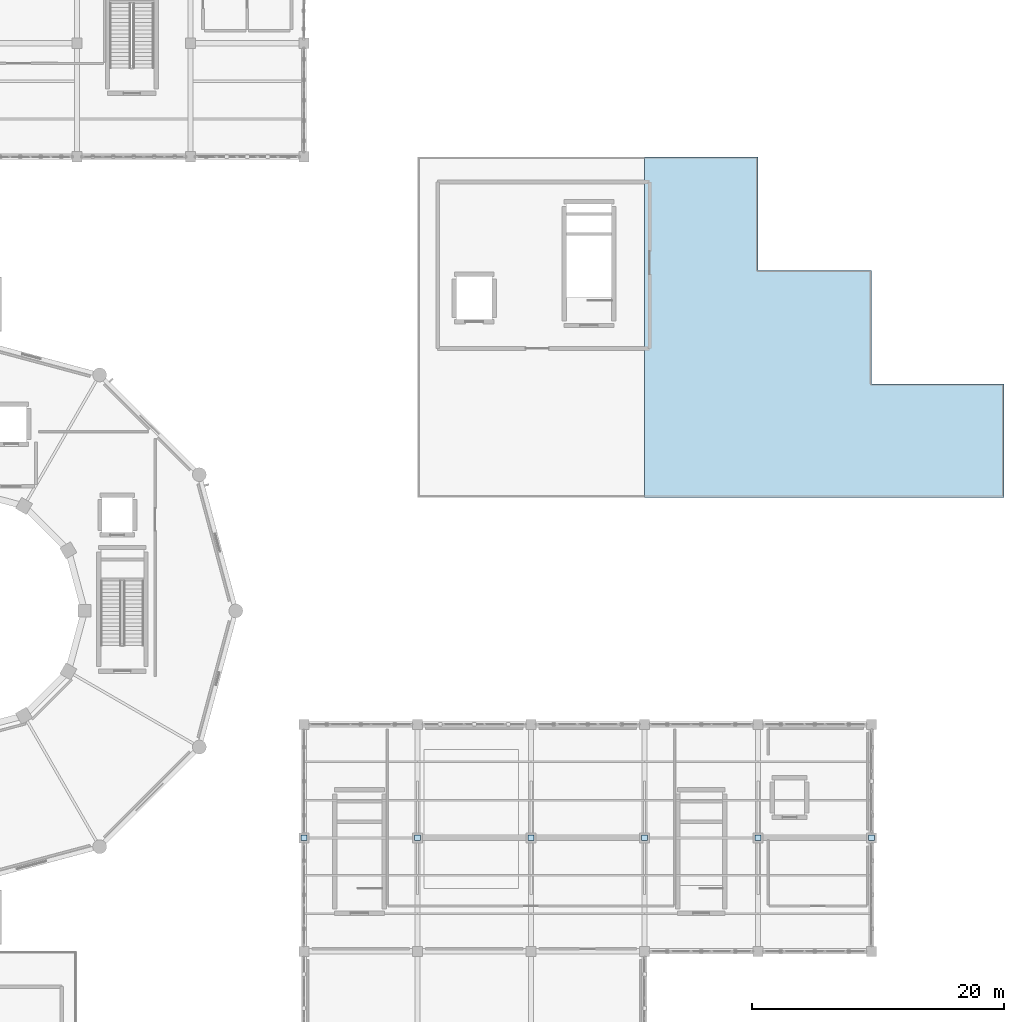
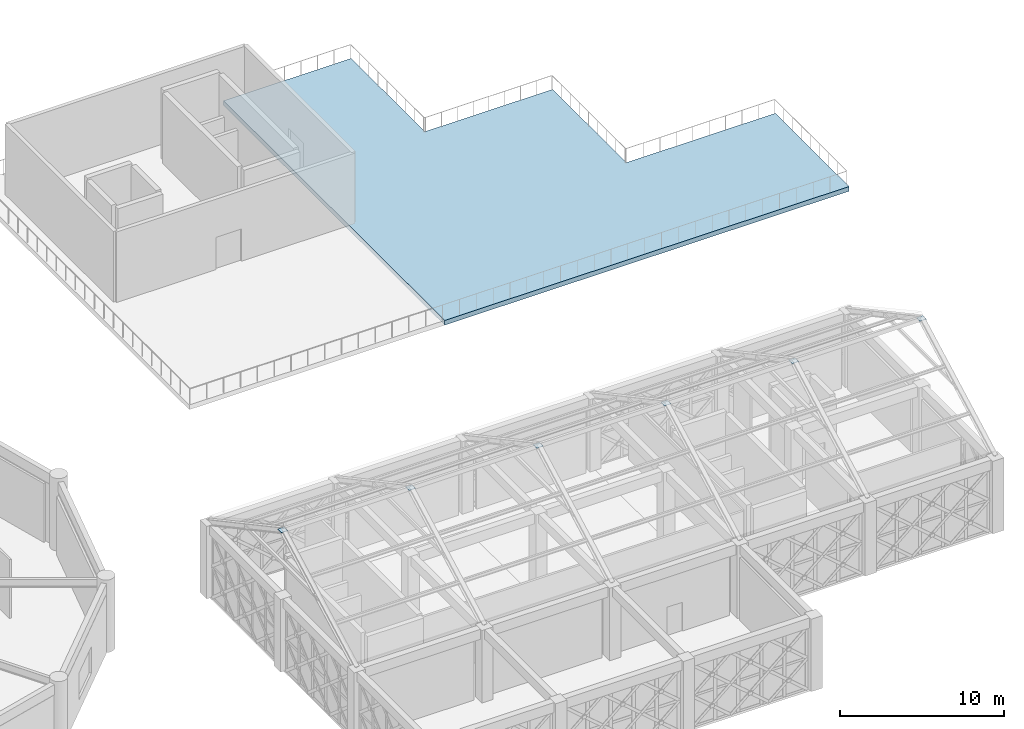
# One storey, part 69 of 86: 6 plates, 1 slab.
"""IFC4 building model written with IfcOpenShell, lengths in metres."""

from ifc_helpers import new_model, si_unit, direction, frame, origin, origin_2d, place, context, subcontext, project, spatial, polyline, rectangle, outline, extrude, material, layer, layer_set, type_object, element, save


model = new_model("IFC4")

# Units and contexts
model_context = context("Model", 3, precision=1e-05, world=origin(), true_north=direction((0.0, 1.0)))
body_context = subcontext(model_context, "Body", "Model", "MODEL_VIEW")
ifc_project = project(units=[si_unit("LENGTHUNIT", "METRE"), si_unit("AREAUNIT", "SQUARE_METRE"), si_unit("VOLUMEUNIT", "CUBIC_METRE"), si_unit("PLANEANGLEUNIT", "RADIAN"), si_unit("MASSUNIT", "GRAM", prefix="KILO")], contexts=[model_context])

# Site, building, storey
site_placement = place(None, origin())
site = spatial("IfcSite", under=ifc_project, at=site_placement, CompositionType="ELEMENT")
building_placement = place(site_placement, origin())
building = spatial("IfcBuilding", under=site, at=building_placement, Name="Haizhuo Lancet Aquarium", CompositionType="ELEMENT")
storey_placement = place(building_placement, frame((0.0, 0.0, 16.199951171875)))
storey = spatial("IfcBuildingStorey", under=building, at=storey_placement, Name="L03", CompositionType="ELEMENT", Elevation=16.199951171875)

# Plates
ifc_material_1 = material(Name="Steel S355", Category="steel")
ifc_layer_1 = layer(ifc_material_1, 0.01611328125)
ifc_layer_set_1 = layer_set([ifc_layer_1], Name="Steel S355")
plate_type_1 = type_object("IfcPlateType", Name="PLT-COV-16", PredefinedType="USERDEFINED", material=ifc_layer_set_1)
for number, where, z_axis, x_axis, name in (
    (1, (36.0, -18.0, 10.2080078125), (0.0, 0.0, 1.0), (1.0, 0.0, 0.0), "V3 apex gusset connection plate 2"),
    (2, (54.0, -18.0, 10.2080078125), (0.0, 0.0, 1.0), (1.0, 0.0, 0.0), "V3 apex gusset connection plate 4"),
    (3, (72.0, -18.0, 10.2080078125), (0.0, 0.0, 1.0), (1.0, 0.0, 0.0), "V3 apex gusset connection plate 6"),
):
    element("IfcPlate", number, at=place(storey_placement, frame(where, z_axis=z_axis, x_axis=x_axis)), inside=storey, type_object=plate_type_1, Name=name, ObjectType="COVER_PLATE", PredefinedType="USERDEFINED", context=body_context, shape_type="SweptSolid", body=[
        extrude(rectangle(XDim=0.449951171875, YDim=0.449951171875, at=origin_2d()), origin(), (0.0, 0.0, 1.0), 0.01611328125),
    ])
ifc_layer_2 = layer(ifc_material_1, 0.02001953125)
ifc_layer_set_2 = layer_set([ifc_layer_2], Name="Steel S355")
plate_type_2 = type_object("IfcPlateType", Name="PLT-STF-20", PredefinedType="USERDEFINED", material=ifc_layer_set_2)
for number, where, z_axis, x_axis, name in (
    (4, (27.0, -18.0, 10.2060546875), (0.0, 0.0, 1.0), (1.0, 0.0, 0.0), "V3 apex gusset connection plate 1"),
    (5, (45.0, -18.0, 10.2060546875), (0.0, 0.0, 1.0), (1.0, 0.0, 0.0), "V3 apex gusset connection plate 3"),
    (6, (63.0, -18.0, 10.2060546875), (0.0, 0.0, 1.0), (1.0, 0.0, 0.0), "V3 apex gusset connection plate 5"),
):
    element("IfcPlate", number, at=place(storey_placement, frame(where, z_axis=z_axis, x_axis=x_axis)), inside=storey, type_object=plate_type_2, Name=name, ObjectType="STIFFENER_PLATE", PredefinedType="USERDEFINED", context=body_context, shape_type="SweptSolid", body=[
        extrude(rectangle(XDim=0.449951171875, YDim=0.449951171875, at=origin_2d()), origin(), (0.0, 0.0, 1.0), 0.02001953125),
    ])

# Slab
ifc_material_2 = material(Name="Concrete C40/50", Category="concrete")
ifc_layer_3 = layer(ifc_material_2, 0.35009765625)
ifc_layer_set_3 = layer_set([ifc_layer_3], Name="Concrete C40/50")
slab_type = type_object("IfcSlabType", Name="SLB-RG-350", PredefinedType="FLOOR", material=ifc_layer_set_3)
slab_placement = place(storey_placement, frame((0.0, 0.0, -0.349853515625)))
element("IfcSlab", 7, at=slab_placement, inside=storey, type_object=slab_type, Name="L03 structural slab SL-L03-V7-RG-02", PredefinedType="FLOOR", context=body_context, shape_type="SweptSolid", body=[
    extrude(outline(polyline([(54.0, 36.0), (54.0, 9.0), (82.5, 9.0), (82.5, 18.0), (72.0, 18.0), (72.0, 27.0), (63.0, 27.0), (63.0, 36.0), (54.0, 36.0)])), origin(), (0.0, 0.0, 1.0), 0.349853515625),
])

save(model, "model.ifc")
